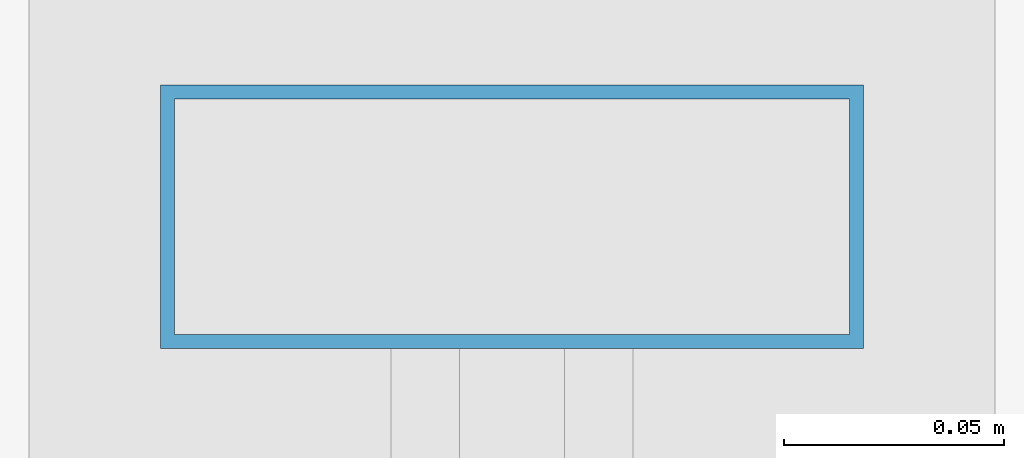
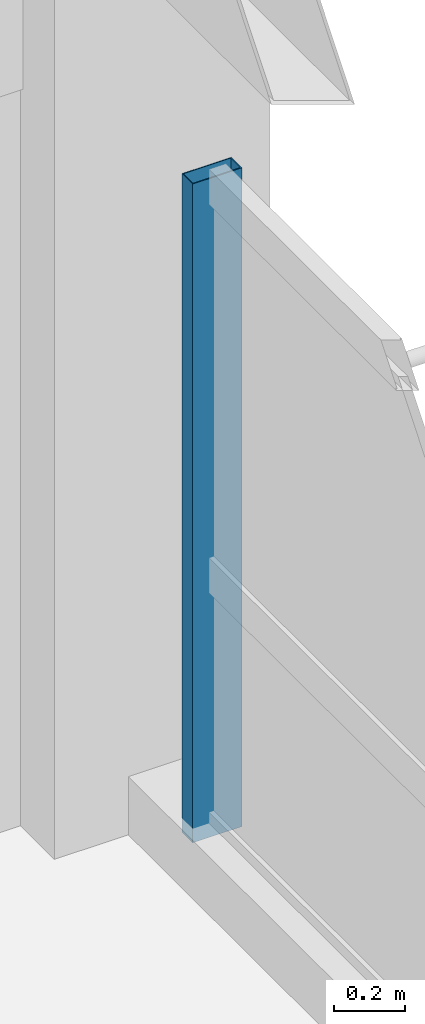
# One storey, part 18 of 24: 1 member, 1 element without a shape of its own.
"""IFC4 building model written with IfcOpenShell, lengths in metres."""

from ifc_helpers import new_model, si_unit, direction, frame, origin, origin_2d, place, context, subcontext, project, spatial, hollow_rectangle, extrude, material, material_profile, profile_set, type_object, element, aggregate, save


model = new_model("IFC4")

# Units and contexts
model_context = context("Model", 3, precision=1e-05, world=origin(), true_north=direction((0.0, 1.0)))
body_context = subcontext(model_context, "Body", "Model", "MODEL_VIEW")
ifc_project = project(units=[si_unit("LENGTHUNIT", "METRE"), si_unit("AREAUNIT", "SQUARE_METRE"), si_unit("VOLUMEUNIT", "CUBIC_METRE"), si_unit("PLANEANGLEUNIT", "RADIAN"), si_unit("MASSUNIT", "GRAM", prefix="KILO")], contexts=[model_context])

# Site, building, storey
site_placement = place(None, origin())
site = spatial("IfcSite", under=ifc_project, at=site_placement, CompositionType="ELEMENT")
building_placement = place(site_placement, origin())
building = spatial("IfcBuilding", under=site, at=building_placement, Name="Kaldorvane Square Convention Centre", CompositionType="ELEMENT")
storey_placement = place(building_placement, frame((0.0, 0.0, 60.0)))
storey = spatial("IfcBuildingStorey", under=building, at=storey_placement, Name="L14", CompositionType="ELEMENT", Elevation=60.0)

# Curtain wall, member
ifc_material = material(Name="Anodized Aluminum and Low-E Insulated Glazing", Category="aluminium")
curtain_wall_type = type_object("IfcCurtainWallType", Name="CW-UNI-HTL-A", PredefinedType="USERDEFINED", material=ifc_material)
curtain_wall_placement = place(storey_placement, origin())
curtain_wall = element("IfcCurtainWall", 1, at=curtain_wall_placement, inside=storey, type_object=curtain_wall_type, Name="Curtain Wall CW-10 (L14)", ObjectType="UNITISED GLAZING", PredefinedType="USERDEFINED")
ifc_material_profile = material_profile(ifc_material, hollow_rectangle(XDim=0.05999755859375, YDim=0.160003662109375, WallThickness=0.003204345703125, at=origin_2d()), Name="CWM-160X60")
ifc_profile_set = profile_set([ifc_material_profile], Name="Anodized Aluminum and Low-E Insulated Glazing")
member_type = type_object("IfcMemberType", Name="CW-MUL-160", PredefinedType="MULLION", material=ifc_profile_set)
member_placement = place(storey_placement, frame((78.0, 116.3699951171875, 0.149993896484375), z_axis=(0.0, 0.0, 1.0), x_axis=(0.0, 1.0, 0.0)))
member = element("IfcMember", 2, at=member_placement, type_object=member_type, Name="CW-10 mullion 4", PredefinedType="MULLION", context=body_context, shape_type="SweptSolid", body=[
    extrude(hollow_rectangle(XDim=0.05999755859375, YDim=0.160003662109375, WallThickness=0.003204345703125, at=origin_2d()), origin(), (0.0, 0.0, 1.0), 2.260009765625),
])
aggregate(curtain_wall, [member])

save(model, "model.ifc")
